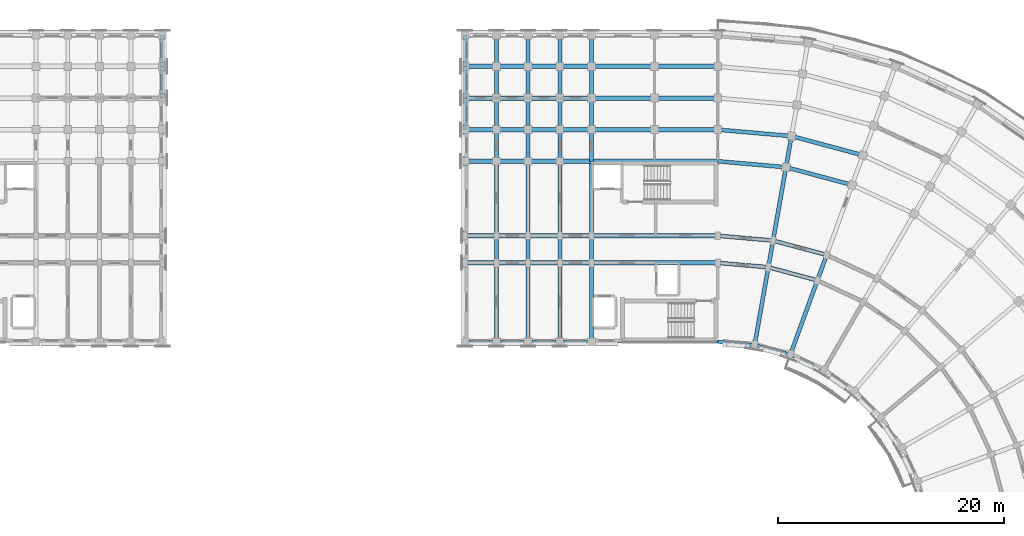
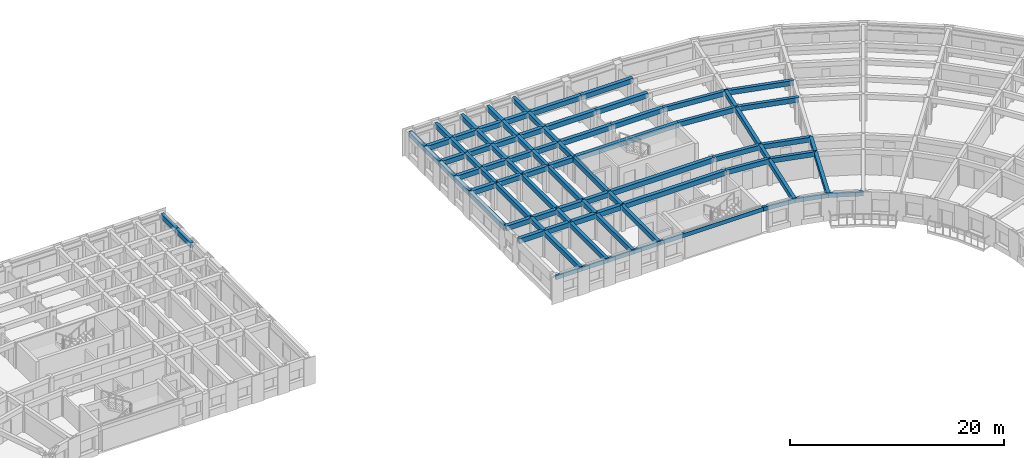
# One storey, part 11 of 57: 90 beams.
"""IFC4 building model written with IfcOpenShell, lengths in metres."""

from ifc_helpers import new_model, si_unit, direction, frame, origin, origin_2d, place, context, subcontext, project, spatial, rectangle, extrude, material, material_profile, profile_set, type_object, element, save


model = new_model("IFC4")

# Units and contexts
model_context = context("Model", 3, precision=1e-05, world=origin(), true_north=direction((0.0, 1.0)))
body_context = subcontext(model_context, "Body", "Model", "MODEL_VIEW")
ifc_project = project(units=[si_unit("LENGTHUNIT", "METRE"), si_unit("AREAUNIT", "SQUARE_METRE"), si_unit("VOLUMEUNIT", "CUBIC_METRE"), si_unit("PLANEANGLEUNIT", "RADIAN"), si_unit("MASSUNIT", "GRAM", prefix="KILO")], contexts=[model_context])

# Site, building, storey
site_placement = place(None, origin())
site = spatial("IfcSite", under=ifc_project, at=site_placement, CompositionType="ELEMENT")
building_placement = place(site_placement, origin())
building = spatial("IfcBuilding", under=site, at=building_placement, Name="Kiranvali Square Residences", CompositionType="ELEMENT")
storey_placement = place(building_placement, frame((0.0, 0.0, 21.300048828125)))
storey = spatial("IfcBuildingStorey", under=building, at=storey_placement, Name="L06", CompositionType="ELEMENT", Elevation=21.300048828125)

# Beams
ifc_material_1 = material(Name="Concrete M40 (40 MPa)", Category="concrete")
ifc_material_profile_1 = material_profile(ifc_material_1, rectangle(XDim=0.35009765625, YDim=0.550048828125, at=origin_2d()), Name="RC 350x550")
ifc_profile_set_1 = profile_set([ifc_material_profile_1], Name="Concrete M40 (40 MPa)")
beam_type_1 = type_object("IfcBeamType", Name="BM-M40-350x550", PredefinedType="BEAM", material=ifc_profile_set_1)
for number, where, z_axis, x_axis, name in (
    (1, (70.60009765625, 128.199951171875, 2.655029296875), (0.0, 1.0, 0.0), (-1.0, 0.0, 0.0), "L06 beam BM-A-L06-A1T5-56"),
    (2, (70.60009765625, 131.0, 2.655029296875), (0.0, 1.0, 0.0), (-1.0, 0.0, 0.0), "L06 beam BM-A-L06-A1T5-67"),
):
    element("IfcBeam", number, at=place(storey_placement, frame(where, z_axis=z_axis, x_axis=x_axis)), inside=storey, type_object=beam_type_1, Name=name, PredefinedType="BEAM", context=body_context, shape_type="SweptSolid", body=[
        extrude(rectangle(XDim=0.35009765625, YDim=0.550048828125, at=origin_2d()), origin(), (0.0, 0.0, 1.0), 2.800048828125),
    ])
beam_1_placement = place(storey_placement, frame((119.800048828125, 113.60009765625, 2.655029296875), z_axis=(0.996191949488, -0.087187153726, 0.0), x_axis=(0.087187153726, 0.996191949488, 0.0)))
element("IfcBeam", 3, at=beam_1_placement, inside=storey, type_object=beam_type_1, Name="L06 beam BM-B-L06-C00-R1", PredefinedType="BEAM", context=body_context, shape_type="SweptSolid", body=[
    extrude(rectangle(XDim=0.35009765625, YDim=0.550048828125, at=origin_2d()), origin(), (0.0, 0.0, 1.0), 4.4970703125),
])
beam_2_placement = place(storey_placement, frame((119.800048828125, 116.0, 2.655029296875), z_axis=(0.996193663584, -0.087167566415, 0.0), x_axis=(0.087167566415, 0.996193663584, 0.0)))
element("IfcBeam", 4, at=beam_2_placement, inside=storey, type_object=beam_type_1, Name="L06 beam BM-B-L06-C00-R2", PredefinedType="BEAM", context=body_context, shape_type="SweptSolid", body=[
    extrude(rectangle(XDim=0.35009765625, YDim=0.550048828125, at=origin_2d()), origin(), (0.0, 0.0, 1.0), 4.91552734375),
])
beam_3_placement = place(storey_placement, frame((119.800048828125, 122.60009765625, 2.655029296875), z_axis=(0.996193018494, -0.087174938512, 0.0), x_axis=(0.087174938512, 0.996193018494, 0.0)))
element("IfcBeam", 5, at=beam_3_placement, inside=storey, type_object=beam_type_1, Name="L06 beam BM-B-L06-C00-R3", PredefinedType="BEAM", context=body_context, shape_type="SweptSolid", body=[
    extrude(rectangle(XDim=0.35009765625, YDim=0.550048828125, at=origin_2d()), origin(), (0.0, 0.0, 1.0), 6.066162109375),
])
beam_4_placement = place(storey_placement, frame((119.800048828125, 125.39990234375, 2.655029296875), z_axis=(0.996196991902, -0.0871295204, 0.0), x_axis=(0.0871295204, 0.996196991902, 0.0)))
element("IfcBeam", 6, at=beam_4_placement, inside=storey, type_object=beam_type_1, Name="L06 beam BM-B-L06-C00-R4", PredefinedType="BEAM", context=body_context, shape_type="SweptSolid", body=[
    extrude(rectangle(XDim=0.35009765625, YDim=0.550048828125, at=origin_2d()), origin(), (0.0, 0.0, 1.0), 6.553955078125),
])
beam_5_placement = place(storey_placement, frame((124.280029296875, 113.2080078125, 2.655029296875), z_axis=(0.965934240054, -0.258787642463, 0.0), x_axis=(0.258787642463, 0.965934240054, 0.0)))
element("IfcBeam", 7, at=beam_5_placement, inside=storey, type_object=beam_type_1, Name="L06 beam BM-B-L06-C01-R1", PredefinedType="BEAM", context=body_context, shape_type="SweptSolid", body=[
    extrude(rectangle(XDim=0.35009765625, YDim=0.550048828125, at=origin_2d()), origin(), (0.0, 0.0, 1.0), 4.497314453125),
])
beam_6_placement = place(storey_placement, frame((124.69677734375, 115.571533203125, 2.655029296875), z_axis=(0.965930095386, -0.258803112091, 0.0), x_axis=(0.258803112091, 0.965930095386, 0.0)))
element("IfcBeam", 8, at=beam_6_placement, inside=storey, type_object=beam_type_1, Name="L06 beam BM-B-L06-C01-R2", PredefinedType="BEAM", context=body_context, shape_type="SweptSolid", body=[
    extrude(rectangle(XDim=0.35009765625, YDim=0.550048828125, at=origin_2d()), origin(), (0.0, 0.0, 1.0), 4.915771484375),
])
beam_7_placement = place(storey_placement, frame((125.843017578125, 122.0712890625, 2.655029296875), z_axis=(0.965923618901, -0.258827283048, 0.0), x_axis=(0.258827283048, 0.965923618901, 0.0)))
element("IfcBeam", 9, at=beam_7_placement, inside=storey, type_object=beam_type_1, Name="L06 beam BM-B-L06-C01-R3", PredefinedType="BEAM", context=body_context, shape_type="SweptSolid", body=[
    extrude(rectangle(XDim=0.35009765625, YDim=0.550048828125, at=origin_2d()), origin(), (0.0, 0.0, 1.0), 6.066162109375),
])
beam_8_placement = place(storey_placement, frame((126.3291015625, 124.828857421875, 2.655029296875), z_axis=(0.965918287583, -0.258847178297, 0.0), x_axis=(0.258847178297, 0.965918287583, 0.0)))
element("IfcBeam", 10, at=beam_8_placement, inside=storey, type_object=beam_type_1, Name="L06 beam BM-B-L06-C01-R4", PredefinedType="BEAM", context=body_context, shape_type="SweptSolid", body=[
    extrude(rectangle(XDim=0.35009765625, YDim=0.550048828125, at=origin_2d()), origin(), (0.0, 0.0, 1.0), 6.55419921875),
])
beam_9_placement = place(storey_placement, frame((123.064697265625, 106.314453125, 2.655029296875), z_axis=(0.173622177865, 0.984812337125, 0.0), x_axis=(-0.984812337125, 0.173622177865, 0.0)))
element("IfcBeam", 11, at=beam_9_placement, inside=storey, type_object=beam_type_1, Name="L06 beam BM-B-L06-RAD01-01", PredefinedType="BEAM", context=body_context, shape_type="SweptSolid", body=[
    extrude(rectangle(XDim=0.35009765625, YDim=0.550048828125, at=origin_2d()), origin(), (0.0, 0.0, 1.0), 6.999755859375),
])
beam_10_placement = place(storey_placement, frame((124.280029296875, 113.2080078125, 2.655029296875), z_axis=(0.173646056486, 0.984808127031, 0.0), x_axis=(-0.984808127031, 0.173646056486, 0.0)))
element("IfcBeam", 12, at=beam_10_placement, inside=storey, type_object=beam_type_1, Name="L06 beam BM-B-L06-RAD01-12", PredefinedType="BEAM", context=body_context, shape_type="SweptSolid", body=[
    extrude(rectangle(XDim=0.35009765625, YDim=0.550048828125, at=origin_2d()), origin(), (0.0, 0.0, 1.0), 2.39990234375),
])
beam_11_placement = place(storey_placement, frame((124.69677734375, 115.571533203125, 2.655029296875), z_axis=(0.173671381499, 0.984803661269, 0.0), x_axis=(-0.984803661269, 0.173671381499, 0.0)))
element("IfcBeam", 13, at=beam_11_placement, inside=storey, type_object=beam_type_1, Name="L06 beam BM-B-L06-RAD01-23", PredefinedType="BEAM", context=body_context, shape_type="SweptSolid", body=[
    extrude(rectangle(XDim=0.35009765625, YDim=0.550048828125, at=origin_2d()), origin(), (0.0, 0.0, 1.0), 6.60009765625),
])
beam_12_placement = place(storey_placement, frame((125.843017578125, 122.0712890625, 2.655029296875), z_axis=(0.173596320392, 0.984816895441, 0.0), x_axis=(-0.984816895441, 0.173596320392, 0.0)))
element("IfcBeam", 14, at=beam_12_placement, inside=storey, type_object=beam_type_1, Name="L06 beam BM-B-L06-RAD01-34", PredefinedType="BEAM", context=body_context, shape_type="SweptSolid", body=[
    extrude(rectangle(XDim=0.35009765625, YDim=0.550048828125, at=origin_2d()), origin(), (0.0, 0.0, 1.0), 2.800048828125),
])
beam_13_placement = place(storey_placement, frame((126.22998046875, 105.46630859375, 2.655029296875), z_axis=(0.342006283793, 0.939697665127, 0.0), x_axis=(-0.939697665127, 0.342006283793, 0.0)))
element("IfcBeam", 15, at=beam_13_placement, inside=storey, type_object=beam_type_1, Name="L06 beam BM-B-L06-RAD02-01", PredefinedType="BEAM", context=body_context, shape_type="SweptSolid", body=[
    extrude(rectangle(XDim=0.35009765625, YDim=0.550048828125, at=origin_2d()), origin(), (0.0, 0.0, 1.0), 7.0),
])
beam_14_placement = place(storey_placement, frame((128.6240234375, 112.044189453125, 2.655029296875), z_axis=(0.342110593602, 0.939659694648, 0.0), x_axis=(-0.939659694648, 0.342110593602, 0.0)))
element("IfcBeam", 16, at=beam_14_placement, inside=storey, type_object=beam_type_1, Name="L06 beam BM-B-L06-RAD02-12", PredefinedType="BEAM", context=body_context, shape_type="SweptSolid", body=[
    extrude(rectangle(XDim=0.35009765625, YDim=0.550048828125, at=origin_2d()), origin(), (0.0, 0.0, 1.0), 2.39990234375),
])
beam_15_placement = place(storey_placement, frame((108.60009765625, 106.60009765625, 2.655029296875), z_axis=(0.0, 1.0, 0.0), x_axis=(-1.0, 0.0, 0.0)))
element("IfcBeam", 17, at=beam_15_placement, inside=storey, type_object=beam_type_1, Name="L06 beam BM-B-L06-A1T1-01", PredefinedType="BEAM", context=body_context, shape_type="SweptSolid", body=[
    extrude(rectangle(XDim=0.35009765625, YDim=0.550048828125, at=origin_2d()), origin(), (0.0, 0.0, 1.0), 7.0),
])
beam_16_placement = place(storey_placement, frame((108.60009765625, 113.60009765625, 2.655029296875), z_axis=(0.0, 1.0, 0.0), x_axis=(-1.0, 0.0, 0.0)))
element("IfcBeam", 18, at=beam_16_placement, inside=storey, type_object=beam_type_1, Name="L06 beam BM-B-L06-A1T1-12", PredefinedType="BEAM", context=body_context, shape_type="SweptSolid", body=[
    extrude(rectangle(XDim=0.35009765625, YDim=0.550048828125, at=origin_2d()), origin(), (0.0, 0.0, 1.0), 2.39990234375),
])
beam_17_placement = place(storey_placement, frame((108.60009765625, 116.0, 2.655029296875), z_axis=(0.0, 1.0, 0.0), x_axis=(-1.0, 0.0, 0.0)))
element("IfcBeam", 19, at=beam_17_placement, inside=storey, type_object=beam_type_1, Name="L06 beam BM-B-L06-A1T1-23", PredefinedType="BEAM", context=body_context, shape_type="SweptSolid", body=[
    extrude(rectangle(XDim=0.35009765625, YDim=0.550048828125, at=origin_2d()), origin(), (0.0, 0.0, 1.0), 6.60009765625),
])
beam_18_placement = place(storey_placement, frame((108.60009765625, 122.60009765625, 2.655029296875), z_axis=(0.0, 1.0, 0.0), x_axis=(-1.0, 0.0, 0.0)))
element("IfcBeam", 20, at=beam_18_placement, inside=storey, type_object=beam_type_1, Name="L06 beam BM-B-L06-A1T1-34", PredefinedType="BEAM", context=body_context, shape_type="SweptSolid", body=[
    extrude(rectangle(XDim=0.35009765625, YDim=0.550048828125, at=origin_2d()), origin(), (0.0, 0.0, 1.0), 2.7998046875),
])
for number, where, z_axis, x_axis, name in (
    (21, (108.60009765625, 125.39990234375, 2.655029296875), (0.0, 1.0, 0.0), (-1.0, 0.0, 0.0), "L06 beam BM-B-L06-A1T1-45"),
    (22, (108.60009765625, 128.199951171875, 2.655029296875), (0.0, 1.0, 0.0), (-1.0, 0.0, 0.0), "L06 beam BM-B-L06-A1T1-56"),
    (23, (108.60009765625, 131.0, 2.655029296875), (0.0, 1.0, 0.0), (-1.0, 0.0, 0.0), "L06 beam BM-B-L06-A1T1-67"),
):
    element("IfcBeam", number, at=place(storey_placement, frame(where, z_axis=z_axis, x_axis=x_axis)), inside=storey, type_object=beam_type_1, Name=name, PredefinedType="BEAM", context=body_context, shape_type="SweptSolid", body=[
        extrude(rectangle(XDim=0.35009765625, YDim=0.550048828125, at=origin_2d()), origin(), (0.0, 0.0, 1.0), 2.800048828125),
    ])
beam_19_placement = place(storey_placement, frame((105.800048828125, 106.60009765625, 2.655029296875), z_axis=(0.0, 1.0, 0.0), x_axis=(-1.0, 0.0, 0.0)))
element("IfcBeam", 24, at=beam_19_placement, inside=storey, type_object=beam_type_1, Name="L06 beam BM-B-L06-A1T2-01", PredefinedType="BEAM", context=body_context, shape_type="SweptSolid", body=[
    extrude(rectangle(XDim=0.35009765625, YDim=0.550048828125, at=origin_2d()), origin(), (0.0, 0.0, 1.0), 7.0),
])
beam_20_placement = place(storey_placement, frame((105.800048828125, 113.60009765625, 2.655029296875), z_axis=(0.0, 1.0, 0.0), x_axis=(-1.0, 0.0, 0.0)))
element("IfcBeam", 25, at=beam_20_placement, inside=storey, type_object=beam_type_1, Name="L06 beam BM-B-L06-A1T2-12", PredefinedType="BEAM", context=body_context, shape_type="SweptSolid", body=[
    extrude(rectangle(XDim=0.35009765625, YDim=0.550048828125, at=origin_2d()), origin(), (0.0, 0.0, 1.0), 2.39990234375),
])
beam_21_placement = place(storey_placement, frame((105.800048828125, 116.0, 2.655029296875), z_axis=(0.0, 1.0, 0.0), x_axis=(-1.0, 0.0, 0.0)))
element("IfcBeam", 26, at=beam_21_placement, inside=storey, type_object=beam_type_1, Name="L06 beam BM-B-L06-A1T2-23", PredefinedType="BEAM", context=body_context, shape_type="SweptSolid", body=[
    extrude(rectangle(XDim=0.35009765625, YDim=0.550048828125, at=origin_2d()), origin(), (0.0, 0.0, 1.0), 6.60009765625),
])
beam_22_placement = place(storey_placement, frame((105.800048828125, 122.60009765625, 2.655029296875), z_axis=(0.0, 1.0, 0.0), x_axis=(-1.0, 0.0, 0.0)))
element("IfcBeam", 27, at=beam_22_placement, inside=storey, type_object=beam_type_1, Name="L06 beam BM-B-L06-A1T2-34", PredefinedType="BEAM", context=body_context, shape_type="SweptSolid", body=[
    extrude(rectangle(XDim=0.35009765625, YDim=0.550048828125, at=origin_2d()), origin(), (0.0, 0.0, 1.0), 2.7998046875),
])
for number, where, z_axis, x_axis, name in (
    (28, (105.800048828125, 125.39990234375, 2.655029296875), (0.0, 1.0, 0.0), (-1.0, 0.0, 0.0), "L06 beam BM-B-L06-A1T2-45"),
    (29, (105.800048828125, 128.199951171875, 2.655029296875), (0.0, 1.0, 0.0), (-1.0, 0.0, 0.0), "L06 beam BM-B-L06-A1T2-56"),
    (30, (105.800048828125, 131.0, 2.655029296875), (0.0, 1.0, 0.0), (-1.0, 0.0, 0.0), "L06 beam BM-B-L06-A1T2-67"),
):
    element("IfcBeam", number, at=place(storey_placement, frame(where, z_axis=z_axis, x_axis=x_axis)), inside=storey, type_object=beam_type_1, Name=name, PredefinedType="BEAM", context=body_context, shape_type="SweptSolid", body=[
        extrude(rectangle(XDim=0.35009765625, YDim=0.550048828125, at=origin_2d()), origin(), (0.0, 0.0, 1.0), 2.800048828125),
    ])
beam_23_placement = place(storey_placement, frame((103.0, 106.60009765625, 2.655029296875), z_axis=(0.0, 1.0, 0.0), x_axis=(-1.0, 0.0, 0.0)))
element("IfcBeam", 31, at=beam_23_placement, inside=storey, type_object=beam_type_1, Name="L06 beam BM-B-L06-A1T3-01", PredefinedType="BEAM", context=body_context, shape_type="SweptSolid", body=[
    extrude(rectangle(XDim=0.35009765625, YDim=0.550048828125, at=origin_2d()), origin(), (0.0, 0.0, 1.0), 7.0),
])
beam_24_placement = place(storey_placement, frame((103.0, 113.60009765625, 2.655029296875), z_axis=(0.0, 1.0, 0.0), x_axis=(-1.0, 0.0, 0.0)))
element("IfcBeam", 32, at=beam_24_placement, inside=storey, type_object=beam_type_1, Name="L06 beam BM-B-L06-A1T3-12", PredefinedType="BEAM", context=body_context, shape_type="SweptSolid", body=[
    extrude(rectangle(XDim=0.35009765625, YDim=0.550048828125, at=origin_2d()), origin(), (0.0, 0.0, 1.0), 2.39990234375),
])
beam_25_placement = place(storey_placement, frame((103.0, 116.0, 2.655029296875), z_axis=(0.0, 1.0, 0.0), x_axis=(-1.0, 0.0, 0.0)))
element("IfcBeam", 33, at=beam_25_placement, inside=storey, type_object=beam_type_1, Name="L06 beam BM-B-L06-A1T3-23", PredefinedType="BEAM", context=body_context, shape_type="SweptSolid", body=[
    extrude(rectangle(XDim=0.35009765625, YDim=0.550048828125, at=origin_2d()), origin(), (0.0, 0.0, 1.0), 6.60009765625),
])
beam_26_placement = place(storey_placement, frame((103.0, 122.60009765625, 2.655029296875), z_axis=(0.0, 1.0, 0.0), x_axis=(-1.0, 0.0, 0.0)))
element("IfcBeam", 34, at=beam_26_placement, inside=storey, type_object=beam_type_1, Name="L06 beam BM-B-L06-A1T3-34", PredefinedType="BEAM", context=body_context, shape_type="SweptSolid", body=[
    extrude(rectangle(XDim=0.35009765625, YDim=0.550048828125, at=origin_2d()), origin(), (0.0, 0.0, 1.0), 2.7998046875),
])
for number, where, z_axis, x_axis, name in (
    (35, (103.0, 125.39990234375, 2.655029296875), (0.0, 1.0, 0.0), (-1.0, 0.0, 0.0), "L06 beam BM-B-L06-A1T3-45"),
    (36, (103.0, 128.199951171875, 2.655029296875), (0.0, 1.0, 0.0), (-1.0, 0.0, 0.0), "L06 beam BM-B-L06-A1T3-56"),
    (37, (103.0, 131.0, 2.655029296875), (0.0, 1.0, 0.0), (-1.0, 0.0, 0.0), "L06 beam BM-B-L06-A1T3-67"),
):
    element("IfcBeam", number, at=place(storey_placement, frame(where, z_axis=z_axis, x_axis=x_axis)), inside=storey, type_object=beam_type_1, Name=name, PredefinedType="BEAM", context=body_context, shape_type="SweptSolid", body=[
        extrude(rectangle(XDim=0.35009765625, YDim=0.550048828125, at=origin_2d()), origin(), (0.0, 0.0, 1.0), 2.800048828125),
    ])
beam_27_placement = place(storey_placement, frame((100.199951171875, 106.60009765625, 2.655029296875), z_axis=(0.0, 1.0, 0.0), x_axis=(-1.0, 0.0, 0.0)))
element("IfcBeam", 38, at=beam_27_placement, inside=storey, type_object=beam_type_1, Name="L06 beam BM-B-L06-A1T4-01", PredefinedType="BEAM", context=body_context, shape_type="SweptSolid", body=[
    extrude(rectangle(XDim=0.35009765625, YDim=0.550048828125, at=origin_2d()), origin(), (0.0, 0.0, 1.0), 7.0),
])
beam_28_placement = place(storey_placement, frame((100.199951171875, 113.60009765625, 2.655029296875), z_axis=(0.0, 1.0, 0.0), x_axis=(-1.0, 0.0, 0.0)))
element("IfcBeam", 39, at=beam_28_placement, inside=storey, type_object=beam_type_1, Name="L06 beam BM-B-L06-A1T4-12", PredefinedType="BEAM", context=body_context, shape_type="SweptSolid", body=[
    extrude(rectangle(XDim=0.35009765625, YDim=0.550048828125, at=origin_2d()), origin(), (0.0, 0.0, 1.0), 2.39990234375),
])
beam_29_placement = place(storey_placement, frame((100.199951171875, 116.0, 2.655029296875), z_axis=(0.0, 1.0, 0.0), x_axis=(-1.0, 0.0, 0.0)))
element("IfcBeam", 40, at=beam_29_placement, inside=storey, type_object=beam_type_1, Name="L06 beam BM-B-L06-A1T4-23", PredefinedType="BEAM", context=body_context, shape_type="SweptSolid", body=[
    extrude(rectangle(XDim=0.35009765625, YDim=0.550048828125, at=origin_2d()), origin(), (0.0, 0.0, 1.0), 6.60009765625),
])
beam_30_placement = place(storey_placement, frame((100.199951171875, 122.60009765625, 2.655029296875), z_axis=(0.0, 1.0, 0.0), x_axis=(-1.0, 0.0, 0.0)))
element("IfcBeam", 41, at=beam_30_placement, inside=storey, type_object=beam_type_1, Name="L06 beam BM-B-L06-A1T4-34", PredefinedType="BEAM", context=body_context, shape_type="SweptSolid", body=[
    extrude(rectangle(XDim=0.35009765625, YDim=0.550048828125, at=origin_2d()), origin(), (0.0, 0.0, 1.0), 2.7998046875),
])
for number, where, z_axis, x_axis, name in (
    (42, (100.199951171875, 125.39990234375, 2.655029296875), (0.0, 1.0, 0.0), (-1.0, 0.0, 0.0), "L06 beam BM-B-L06-A1T4-45"),
    (43, (100.199951171875, 128.199951171875, 2.655029296875), (0.0, 1.0, 0.0), (-1.0, 0.0, 0.0), "L06 beam BM-B-L06-A1T4-56"),
    (44, (100.199951171875, 131.0, 2.655029296875), (0.0, 1.0, 0.0), (-1.0, 0.0, 0.0), "L06 beam BM-B-L06-A1T4-67"),
):
    element("IfcBeam", number, at=place(storey_placement, frame(where, z_axis=z_axis, x_axis=x_axis)), inside=storey, type_object=beam_type_1, Name=name, PredefinedType="BEAM", context=body_context, shape_type="SweptSolid", body=[
        extrude(rectangle(XDim=0.35009765625, YDim=0.550048828125, at=origin_2d()), origin(), (0.0, 0.0, 1.0), 2.800048828125),
    ])
beam_31_placement = place(storey_placement, frame((97.39990234375, 116.0, 2.655029296875), z_axis=(0.0, 1.0, 0.0), x_axis=(-1.0, 0.0, 0.0)))
element("IfcBeam", 45, at=beam_31_placement, inside=storey, type_object=beam_type_1, Name="L06 beam BM-B-L06-A1T5-23", PredefinedType="BEAM", context=body_context, shape_type="SweptSolid", body=[
    extrude(rectangle(XDim=0.35009765625, YDim=0.550048828125, at=origin_2d()), origin(), (0.0, 0.0, 1.0), 6.60009765625),
])
beam_32_placement = place(storey_placement, frame((97.39990234375, 122.60009765625, 2.655029296875), z_axis=(0.0, 1.0, 0.0), x_axis=(-1.0, 0.0, 0.0)))
element("IfcBeam", 46, at=beam_32_placement, inside=storey, type_object=beam_type_1, Name="L06 beam BM-B-L06-A1T5-34", PredefinedType="BEAM", context=body_context, shape_type="SweptSolid", body=[
    extrude(rectangle(XDim=0.35009765625, YDim=0.550048828125, at=origin_2d()), origin(), (0.0, 0.0, 1.0), 2.7998046875),
])
for number, where, z_axis, x_axis, name in (
    (47, (97.39990234375, 125.39990234375, 2.655029296875), (0.0, 1.0, 0.0), (-1.0, 0.0, 0.0), "L06 beam BM-B-L06-A1T5-45"),
    (48, (97.39990234375, 128.199951171875, 2.655029296875), (0.0, 1.0, 0.0), (-1.0, 0.0, 0.0), "L06 beam BM-B-L06-A1T5-56"),
    (49, (97.39990234375, 131.0, 2.655029296875), (0.0, 1.0, 0.0), (-1.0, 0.0, 0.0), "L06 beam BM-B-L06-A1T5-67"),
):
    element("IfcBeam", number, at=place(storey_placement, frame(where, z_axis=z_axis, x_axis=x_axis)), inside=storey, type_object=beam_type_1, Name=name, PredefinedType="BEAM", context=body_context, shape_type="SweptSolid", body=[
        extrude(rectangle(XDim=0.35009765625, YDim=0.550048828125, at=origin_2d()), origin(), (0.0, 0.0, 1.0), 2.800048828125),
    ])
ifc_material_2 = material(Name="Concrete M45 (45 MPa)", Category="concrete")
ifc_material_profile_2 = material_profile(ifc_material_2, rectangle(XDim=0.39990234375, YDim=0.550048828125, at=origin_2d()), Name="RC 400x550")
ifc_profile_set_2 = profile_set([ifc_material_profile_2], Name="Concrete M45 (45 MPa)")
beam_type_2 = type_object("IfcBeamType", Name="BM-M45-400x550", PredefinedType="BEAM", material=ifc_profile_set_2)
beam_33_placement = place(storey_placement, frame((119.800048828125, 113.60009765625, 2.655029296875), z_axis=(-1.0, 0.0, 0.0), x_axis=(0.0, -1.0, 0.0)))
element("IfcBeam", 50, at=beam_33_placement, inside=storey, type_object=beam_type_2, Name="L06 beam BM-B-L06-A1U0-R1", PredefinedType="BEAM", context=body_context, shape_type="SweptSolid", body=[
    extrude(rectangle(XDim=0.39990234375, YDim=0.550048828125, at=origin_2d()), origin(), (0.0, 0.0, 1.0), 11.199951171875),
])
for number, where, z_axis, x_axis, name in (
    (51, (108.60009765625, 113.60009765625, 2.655029296875), (-1.0, 0.0, 0.0), (0.0, -1.0, 0.0), "L06 beam BM-B-L06-A1U1-R1"),
    (52, (105.800048828125, 113.60009765625, 2.655029296875), (-1.0, 0.0, 0.0), (0.0, -1.0, 0.0), "L06 beam BM-B-L06-A1U2-R1"),
    (53, (103.0, 113.60009765625, 2.655029296875), (-1.0, 0.0, 0.0), (0.0, -1.0, 0.0), "L06 beam BM-B-L06-A1U3-R1"),
    (54, (100.199951171875, 113.60009765625, 2.655029296875), (-1.0, 0.0, 0.0), (0.0, -1.0, 0.0), "L06 beam BM-B-L06-A1U4-R1"),
):
    element("IfcBeam", number, at=place(storey_placement, frame(where, z_axis=z_axis, x_axis=x_axis)), inside=storey, type_object=beam_type_2, Name=name, PredefinedType="BEAM", context=body_context, shape_type="SweptSolid", body=[
        extrude(rectangle(XDim=0.39990234375, YDim=0.550048828125, at=origin_2d()), origin(), (0.0, 0.0, 1.0), 2.800048828125),
    ])
beam_34_placement = place(storey_placement, frame((119.800048828125, 116.0, 2.655029296875), z_axis=(-1.0, 0.0, 0.0), x_axis=(0.0, -1.0, 0.0)))
element("IfcBeam", 55, at=beam_34_placement, inside=storey, type_object=beam_type_2, Name="L06 beam BM-B-L06-A1U0-R2", PredefinedType="BEAM", context=body_context, shape_type="SweptSolid", body=[
    extrude(rectangle(XDim=0.39990234375, YDim=0.550048828125, at=origin_2d()), origin(), (0.0, 0.0, 1.0), 11.199951171875),
])
for number, where, z_axis, x_axis, name in (
    (56, (108.60009765625, 116.0, 2.655029296875), (-1.0, 0.0, 0.0), (0.0, -1.0, 0.0), "L06 beam BM-B-L06-A1U1-R2"),
    (57, (105.800048828125, 116.0, 2.655029296875), (-1.0, 0.0, 0.0), (0.0, -1.0, 0.0), "L06 beam BM-B-L06-A1U2-R2"),
    (58, (103.0, 116.0, 2.655029296875), (-1.0, 0.0, 0.0), (0.0, -1.0, 0.0), "L06 beam BM-B-L06-A1U3-R2"),
    (59, (100.199951171875, 116.0, 2.655029296875), (-1.0, 0.0, 0.0), (0.0, -1.0, 0.0), "L06 beam BM-B-L06-A1U4-R2"),
):
    element("IfcBeam", number, at=place(storey_placement, frame(where, z_axis=z_axis, x_axis=x_axis)), inside=storey, type_object=beam_type_2, Name=name, PredefinedType="BEAM", context=body_context, shape_type="SweptSolid", body=[
        extrude(rectangle(XDim=0.39990234375, YDim=0.550048828125, at=origin_2d()), origin(), (0.0, 0.0, 1.0), 2.800048828125),
    ])
beam_35_placement = place(storey_placement, frame((119.800048828125, 122.60009765625, 2.655029296875), z_axis=(-1.0, 0.0, 0.0), x_axis=(0.0, -1.0, 0.0)))
element("IfcBeam", 60, at=beam_35_placement, inside=storey, type_object=beam_type_2, Name="L06 beam BM-B-L06-A1U0-R3", PredefinedType="BEAM", context=body_context, shape_type="SweptSolid", body=[
    extrude(rectangle(XDim=0.39990234375, YDim=0.550048828125, at=origin_2d()), origin(), (0.0, 0.0, 1.0), 11.199951171875),
])
for number, where, z_axis, x_axis, name in (
    (61, (108.60009765625, 122.60009765625, 2.655029296875), (-1.0, 0.0, 0.0), (0.0, -1.0, 0.0), "L06 beam BM-B-L06-A1U1-R3"),
    (62, (105.800048828125, 122.60009765625, 2.655029296875), (-1.0, 0.0, 0.0), (0.0, -1.0, 0.0), "L06 beam BM-B-L06-A1U2-R3"),
    (63, (103.0, 122.60009765625, 2.655029296875), (-1.0, 0.0, 0.0), (0.0, -1.0, 0.0), "L06 beam BM-B-L06-A1U3-R3"),
    (64, (100.199951171875, 122.60009765625, 2.655029296875), (-1.0, 0.0, 0.0), (0.0, -1.0, 0.0), "L06 beam BM-B-L06-A1U4-R3"),
):
    element("IfcBeam", number, at=place(storey_placement, frame(where, z_axis=z_axis, x_axis=x_axis)), inside=storey, type_object=beam_type_2, Name=name, PredefinedType="BEAM", context=body_context, shape_type="SweptSolid", body=[
        extrude(rectangle(XDim=0.39990234375, YDim=0.550048828125, at=origin_2d()), origin(), (0.0, 0.0, 1.0), 2.800048828125),
    ])
beam_36_placement = place(storey_placement, frame((119.800048828125, 125.39990234375, 2.655029296875), z_axis=(-1.0, 0.0, 0.0), x_axis=(0.0, -1.0, 0.0)))
element("IfcBeam", 65, at=beam_36_placement, inside=storey, type_object=beam_type_2, Name="L06 beam BM-B-L06-A1U0-R4", PredefinedType="BEAM", context=body_context, shape_type="SweptSolid", body=[
    extrude(rectangle(XDim=0.39990234375, YDim=0.550048828125, at=origin_2d()), origin(), (0.0, 0.0, 1.0), 5.60009765625),
])
beam_37_placement = place(storey_placement, frame((114.199951171875, 125.39990234375, 2.655029296875), z_axis=(-1.0, 0.0, 0.0), x_axis=(0.0, -1.0, 0.0)))
element("IfcBeam", 66, at=beam_37_placement, inside=storey, type_object=beam_type_2, Name="L06 beam BM-B-L06-A1U1-R4", PredefinedType="BEAM", context=body_context, shape_type="SweptSolid", body=[
    extrude(rectangle(XDim=0.39990234375, YDim=0.550048828125, at=origin_2d()), origin(), (0.0, 0.0, 1.0), 5.599853515625),
])
for number, where, z_axis, x_axis, name in (
    (67, (108.60009765625, 125.39990234375, 2.655029296875), (-1.0, 0.0, 0.0), (0.0, -1.0, 0.0), "L06 beam BM-B-L06-A1U2-R4"),
    (68, (105.800048828125, 125.39990234375, 2.655029296875), (-1.0, 0.0, 0.0), (0.0, -1.0, 0.0), "L06 beam BM-B-L06-A1U3-R4"),
    (69, (103.0, 125.39990234375, 2.655029296875), (-1.0, 0.0, 0.0), (0.0, -1.0, 0.0), "L06 beam BM-B-L06-A1U4-R4"),
    (70, (100.199951171875, 125.39990234375, 2.655029296875), (-1.0, 0.0, 0.0), (0.0, -1.0, 0.0), "L06 beam BM-B-L06-A1U5-R4"),
):
    element("IfcBeam", number, at=place(storey_placement, frame(where, z_axis=z_axis, x_axis=x_axis)), inside=storey, type_object=beam_type_2, Name=name, PredefinedType="BEAM", context=body_context, shape_type="SweptSolid", body=[
        extrude(rectangle(XDim=0.39990234375, YDim=0.550048828125, at=origin_2d()), origin(), (0.0, 0.0, 1.0), 2.800048828125),
    ])
beam_38_placement = place(storey_placement, frame((119.800048828125, 128.199951171875, 2.655029296875), z_axis=(-1.0, 0.0, 0.0), x_axis=(0.0, -1.0, 0.0)))
element("IfcBeam", 71, at=beam_38_placement, inside=storey, type_object=beam_type_2, Name="L06 beam BM-B-L06-A1U0-R5", PredefinedType="BEAM", context=body_context, shape_type="SweptSolid", body=[
    extrude(rectangle(XDim=0.39990234375, YDim=0.550048828125, at=origin_2d()), origin(), (0.0, 0.0, 1.0), 5.60009765625),
])
beam_39_placement = place(storey_placement, frame((114.199951171875, 128.199951171875, 2.655029296875), z_axis=(-1.0, 0.0, 0.0), x_axis=(0.0, -1.0, 0.0)))
element("IfcBeam", 72, at=beam_39_placement, inside=storey, type_object=beam_type_2, Name="L06 beam BM-B-L06-A1U1-R5", PredefinedType="BEAM", context=body_context, shape_type="SweptSolid", body=[
    extrude(rectangle(XDim=0.39990234375, YDim=0.550048828125, at=origin_2d()), origin(), (0.0, 0.0, 1.0), 5.599853515625),
])
for number, where, z_axis, x_axis, name in (
    (73, (108.60009765625, 128.199951171875, 2.655029296875), (-1.0, 0.0, 0.0), (0.0, -1.0, 0.0), "L06 beam BM-B-L06-A1U2-R5"),
    (74, (105.800048828125, 128.199951171875, 2.655029296875), (-1.0, 0.0, 0.0), (0.0, -1.0, 0.0), "L06 beam BM-B-L06-A1U3-R5"),
    (75, (103.0, 128.199951171875, 2.655029296875), (-1.0, 0.0, 0.0), (0.0, -1.0, 0.0), "L06 beam BM-B-L06-A1U4-R5"),
    (76, (100.199951171875, 128.199951171875, 2.655029296875), (-1.0, 0.0, 0.0), (0.0, -1.0, 0.0), "L06 beam BM-B-L06-A1U5-R5"),
):
    element("IfcBeam", number, at=place(storey_placement, frame(where, z_axis=z_axis, x_axis=x_axis)), inside=storey, type_object=beam_type_2, Name=name, PredefinedType="BEAM", context=body_context, shape_type="SweptSolid", body=[
        extrude(rectangle(XDim=0.39990234375, YDim=0.550048828125, at=origin_2d()), origin(), (0.0, 0.0, 1.0), 2.800048828125),
    ])
beam_40_placement = place(storey_placement, frame((119.800048828125, 131.0, 2.655029296875), z_axis=(-1.0, 0.0, 0.0), x_axis=(0.0, -1.0, 0.0)))
element("IfcBeam", 77, at=beam_40_placement, inside=storey, type_object=beam_type_2, Name="L06 beam BM-B-L06-A1U0-R6", PredefinedType="BEAM", context=body_context, shape_type="SweptSolid", body=[
    extrude(rectangle(XDim=0.39990234375, YDim=0.550048828125, at=origin_2d()), origin(), (0.0, 0.0, 1.0), 5.60009765625),
])
beam_41_placement = place(storey_placement, frame((114.199951171875, 131.0, 2.655029296875), z_axis=(-1.0, 0.0, 0.0), x_axis=(0.0, -1.0, 0.0)))
element("IfcBeam", 78, at=beam_41_placement, inside=storey, type_object=beam_type_2, Name="L06 beam BM-B-L06-A1U1-R6", PredefinedType="BEAM", context=body_context, shape_type="SweptSolid", body=[
    extrude(rectangle(XDim=0.39990234375, YDim=0.550048828125, at=origin_2d()), origin(), (0.0, 0.0, 1.0), 5.599853515625),
])
for number, where, z_axis, x_axis, name in (
    (79, (108.60009765625, 131.0, 2.655029296875), (-1.0, 0.0, 0.0), (0.0, -1.0, 0.0), "L06 beam BM-B-L06-A1U2-R6"),
    (80, (105.800048828125, 131.0, 2.655029296875), (-1.0, 0.0, 0.0), (0.0, -1.0, 0.0), "L06 beam BM-B-L06-A1U3-R6"),
    (81, (103.0, 131.0, 2.655029296875), (-1.0, 0.0, 0.0), (0.0, -1.0, 0.0), "L06 beam BM-B-L06-A1U4-R6"),
    (82, (100.199951171875, 131.0, 2.655029296875), (-1.0, 0.0, 0.0), (0.0, -1.0, 0.0), "L06 beam BM-B-L06-A1U5-R6"),
):
    element("IfcBeam", number, at=place(storey_placement, frame(where, z_axis=z_axis, x_axis=x_axis)), inside=storey, type_object=beam_type_2, Name=name, PredefinedType="BEAM", context=body_context, shape_type="SweptSolid", body=[
        extrude(rectangle(XDim=0.39990234375, YDim=0.550048828125, at=origin_2d()), origin(), (0.0, 0.0, 1.0), 2.800048828125),
    ])
ifc_material_profile_3 = material_profile(ifc_material_1, rectangle(XDim=0.25, YDim=0.449951171875, at=origin_2d()), Name="RC 250x450")
ifc_profile_set_3 = profile_set([ifc_material_profile_3], Name="Concrete M40 (40 MPa)")
beam_type_3 = type_object("IfcBeamType", Name="SPN-M40-250x450", PredefinedType="SPANDREL", material=ifc_profile_set_3)
beam_42_placement = place(storey_placement, frame((119.800048828125, 106.60009765625, 2.704833984375), z_axis=(-1.0, 0.0, 0.0), x_axis=(0.0, -1.0, 0.0)))
element("IfcBeam", 83, at=beam_42_placement, inside=storey, type_object=beam_type_3, Name="L06 beam BM-B-L06-A1U0-R0", PredefinedType="SPANDREL", context=body_context, shape_type="SweptSolid", body=[
    extrude(rectangle(XDim=0.25, YDim=0.449951171875, at=origin_2d()), origin(), (0.0, 0.0, 1.0), 11.199951171875),
])
for number, where, z_axis, x_axis, name in (
    (84, (108.60009765625, 106.60009765625, 2.704833984375), (-1.0, 0.0, 0.0), (0.0, -1.0, 0.0), "L06 beam BM-B-L06-A1U1-R0"),
    (85, (105.800048828125, 106.60009765625, 2.704833984375), (-1.0, 0.0, 0.0), (0.0, -1.0, 0.0), "L06 beam BM-B-L06-A1U2-R0"),
    (86, (103.0, 106.60009765625, 2.704833984375), (-1.0, 0.0, 0.0), (0.0, -1.0, 0.0), "L06 beam BM-B-L06-A1U3-R0"),
    (87, (100.199951171875, 106.60009765625, 2.704833984375), (-1.0, 0.0, 0.0), (0.0, -1.0, 0.0), "L06 beam BM-B-L06-A1U4-R0"),
):
    element("IfcBeam", number, at=place(storey_placement, frame(where, z_axis=z_axis, x_axis=x_axis)), inside=storey, type_object=beam_type_3, Name=name, PredefinedType="SPANDREL", context=body_context, shape_type="SweptSolid", body=[
        extrude(rectangle(XDim=0.25, YDim=0.449951171875, at=origin_2d()), origin(), (0.0, 0.0, 1.0), 2.800048828125),
    ])
ifc_material_profile_4 = material_profile(ifc_material_1, rectangle(XDim=0.300048828125, YDim=0.449951171875, at=origin_2d()), Name="RC 300x450")
ifc_profile_set_4 = profile_set([ifc_material_profile_4], Name="Concrete M40 (40 MPa)")
beam_type_4 = type_object("IfcBeamType", Name="SPN-M40-300x450", PredefinedType="SPANDREL", material=ifc_profile_set_4)
beam_43_placement = place(storey_placement, frame((119.800048828125, 106.60009765625, 2.704833984375), z_axis=(0.996194040944, -0.087163253657, 0.0), x_axis=(0.087163253657, 0.996194040944, 0.0)))
element("IfcBeam", 88, at=beam_43_placement, inside=storey, type_object=beam_type_4, Name="L06 beam BM-B-L06-C00-R0", PredefinedType="SPANDREL", context=body_context, shape_type="SweptSolid", body=[
    extrude(rectangle(XDim=0.300048828125, YDim=0.449951171875, at=origin_2d()), origin(), (0.0, 0.0, 1.0), 3.277099609375),
])
beam_44_placement = place(storey_placement, frame((123.064697265625, 106.314453125, 2.704833984375), z_axis=(0.965925105099, -0.258821736607, 0.0), x_axis=(0.258821736607, 0.965925105099, 0.0)))
element("IfcBeam", 89, at=beam_44_placement, inside=storey, type_object=beam_type_4, Name="L06 beam BM-B-L06-C01-R0", PredefinedType="SPANDREL", context=body_context, shape_type="SweptSolid", body=[
    extrude(rectangle(XDim=0.300048828125, YDim=0.449951171875, at=origin_2d()), origin(), (0.0, 0.0, 1.0), 3.27685546875),
])
beam_45_placement = place(storey_placement, frame((126.22998046875, 105.46630859375, 2.704833984375), z_axis=(0.90629730464, -0.422640740585, 0.0), x_axis=(0.422640740585, 0.90629730464, 0.0)))
element("IfcBeam", 90, at=beam_45_placement, inside=storey, type_object=beam_type_4, Name="L06 beam BM-B-L06-C02-R0", PredefinedType="SPANDREL", context=body_context, shape_type="SweptSolid", body=[
    extrude(rectangle(XDim=0.300048828125, YDim=0.449951171875, at=origin_2d()), origin(), (0.0, 0.0, 1.0), 3.277099609375),
])

save(model, "model.ifc")
